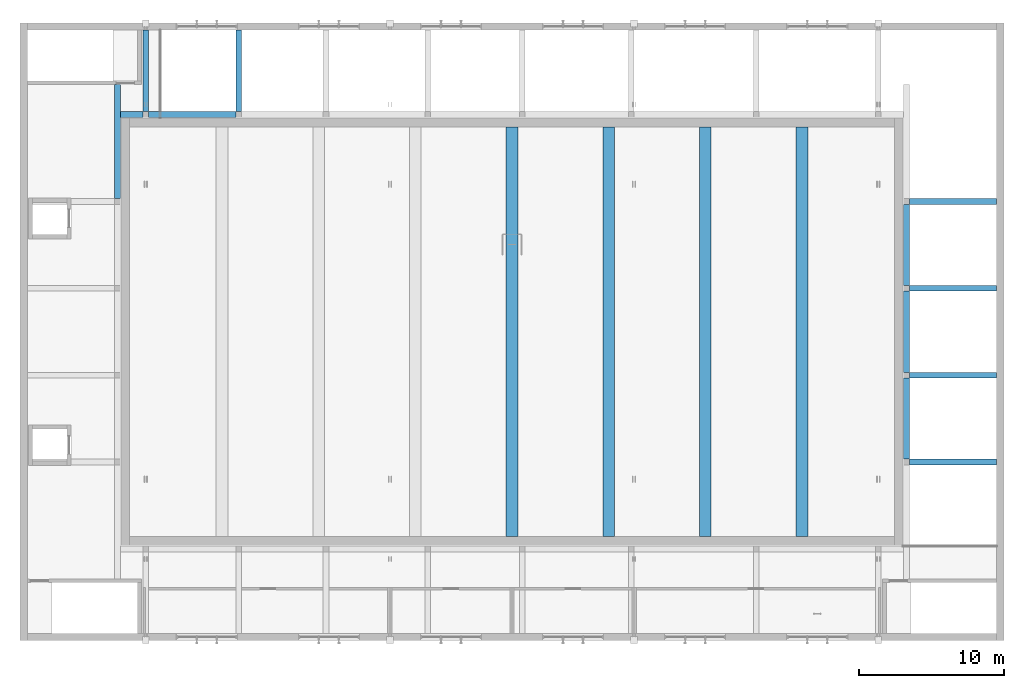
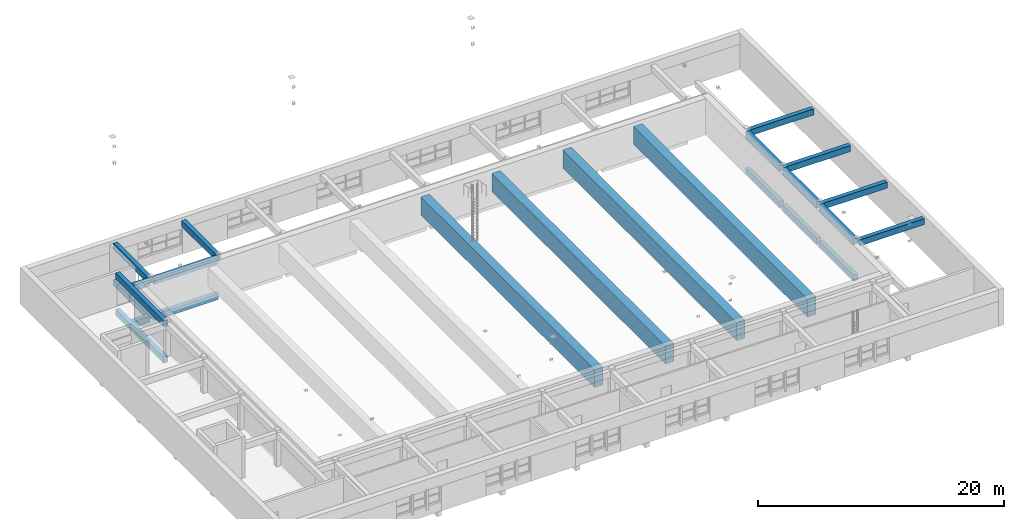
# One storey, part 6 of 28: 23 beams.
"""IFC4 building model written with IfcOpenShell, lengths in metres."""

from ifc_helpers import new_model, si_unit, direction, frame, origin, origin_2d, place, context, subcontext, project, spatial, rectangle, extrude, material, material_profile, profile_set, type_object, element, save


model = new_model("IFC4")

# Units and contexts
model_context = context("Model", 3, precision=1e-05, world=origin(), true_north=direction((0.0, 1.0)))
body_context = subcontext(model_context, "Body", "Model", "MODEL_VIEW")
ifc_project = project(units=[si_unit("LENGTHUNIT", "METRE"), si_unit("AREAUNIT", "SQUARE_METRE"), si_unit("VOLUMEUNIT", "CUBIC_METRE"), si_unit("PLANEANGLEUNIT", "RADIAN"), si_unit("MASSUNIT", "GRAM", prefix="KILO")], contexts=[model_context])

# Site, building, storey
site_placement = place(None, origin())
site = spatial("IfcSite", under=ifc_project, at=site_placement, CompositionType="ELEMENT")
building_placement = place(site_placement, origin())
building = spatial("IfcBuilding", under=site, at=building_placement, Name="Ljudholm Concert House", CompositionType="ELEMENT")
storey_placement = place(building_placement, frame((0.0, 0.0, 19.199951171875)))
storey = spatial("IfcBuildingStorey", under=building, at=storey_placement, Name="L04", CompositionType="ELEMENT", Elevation=19.199951171875)

# Beams
ifc_material_1 = material(Name="Concrete 6,500 psi", Category="concrete")
ifc_material_profile_1 = material_profile(ifc_material_1, rectangle(XDim=0.39990234375, YDim=0.60009765625, at=origin_2d()), Name="RC BEAM 400x600")
ifc_profile_set_1 = profile_set([ifc_material_profile_1], Name="Concrete 6,500 psi")
beam_type_1 = type_object("IfcBeamType", Name="RC BEAM 400x600", PredefinedType="BEAM", material=ifc_profile_set_1)
beam_1_placement = place(storey_placement, frame((37.800048828125, 90.35009765625, -0.550048828125), z_axis=(1.0, 0.0, 0.0), x_axis=(0.0, 1.0, 0.0)))
element("IfcBeam", 1, at=beam_1_placement, inside=storey, type_object=beam_type_1, Name="Ring beam", PredefinedType="BEAM", context=body_context, shape_type="SweptSolid", body=[
    extrude(rectangle(XDim=0.39990234375, YDim=0.60009765625, at=origin_2d()), origin(), (0.0, 0.0, 1.0), 6.0),
])
beam_2_placement = place(storey_placement, frame((89.949951171875, 66.6298828125, -0.550048828125), z_axis=(0.0, 1.0, 0.0), x_axis=(-1.0, 0.0, 0.0)))
element("IfcBeam", 2, at=beam_2_placement, inside=storey, type_object=beam_type_1, Name="Ring beam", PredefinedType="BEAM", context=body_context, shape_type="SweptSolid", body=[
    extrude(rectangle(XDim=0.39990234375, YDim=0.60009765625, at=origin_2d()), origin(), (0.0, 0.0, 1.0), 5.580078125),
])
for number, where, z_axis, x_axis, name in (
    (3, (89.949951171875, 72.610107421875, -0.550048828125), (0.0, 1.0, 0.0), (-1.0, 0.0, 0.0), "Ring beam"),
    (4, (89.949951171875, 78.590087890625, -0.550048828125), (0.0, 1.0, 0.0), (-1.0, 0.0, 0.0), "Ring beam"),
):
    element("IfcBeam", number, at=place(storey_placement, frame(where, z_axis=z_axis, x_axis=x_axis)), inside=storey, type_object=beam_type_1, Name=name, PredefinedType="BEAM", context=body_context, shape_type="SweptSolid", body=[
        extrude(rectangle(XDim=0.39990234375, YDim=0.60009765625, at=origin_2d()), origin(), (0.0, 0.0, 1.0), 5.579833984375),
    ])
beam_3_placement = place(storey_placement, frame((37.60009765625, 90.550048828125, -0.550048828125), z_axis=(0.0, 1.0, 0.0), x_axis=(-1.0, 0.0, 0.0)))
element("IfcBeam", 5, at=beam_3_placement, inside=storey, type_object=beam_type_1, Name="Ring cross beam", PredefinedType="BEAM", context=body_context, shape_type="SweptSolid", body=[
    extrude(rectangle(XDim=0.39990234375, YDim=0.60009765625, at=origin_2d()), origin(), (0.0, 0.0, 1.0), 5.599853515625),
])
beam_4_placement = place(storey_placement, frame((35.85009765625, 90.35009765625, -0.550048828125), z_axis=(1.0, 0.0, 0.0), x_axis=(0.0, 1.0, 0.0)))
element("IfcBeam", 6, at=beam_4_placement, inside=storey, type_object=beam_type_1, Name="Ring beam", PredefinedType="BEAM", context=body_context, shape_type="SweptSolid", body=[
    extrude(rectangle(XDim=0.39990234375, YDim=0.60009765625, at=origin_2d()), origin(), (0.0, 0.0, 1.0), 1.5498046875),
])
beam_5_placement = place(storey_placement, frame((35.64990234375, 84.570068359375, -0.550048828125), z_axis=(0.0, 1.0, 0.0), x_axis=(-1.0, 0.0, 0.0)))
element("IfcBeam", 7, at=beam_5_placement, inside=storey, type_object=beam_type_1, Name="Ring beam", PredefinedType="BEAM", context=body_context, shape_type="SweptSolid", body=[
    extrude(rectangle(XDim=0.39990234375, YDim=0.60009765625, at=origin_2d()), origin(), (0.0, 0.0, 1.0), 7.829833984375),
])
beam_6_placement = place(storey_placement, frame((37.800048828125, 90.35009765625, 3.050048828125), z_axis=(1.0, 0.0, 0.0), x_axis=(0.0, 1.0, 0.0)))
element("IfcBeam", 8, at=beam_6_placement, inside=storey, type_object=beam_type_1, Name="Ring beam", PredefinedType="BEAM", context=body_context, shape_type="SweptSolid", body=[
    extrude(rectangle(XDim=0.39990234375, YDim=0.60009765625, at=origin_2d()), origin(), (0.0, 0.0, 1.0), 6.0),
])
beam_7_placement = place(storey_placement, frame((89.949951171875, 66.6298828125, 3.050048828125), z_axis=(0.0, 1.0, 0.0), x_axis=(-1.0, 0.0, 0.0)))
element("IfcBeam", 9, at=beam_7_placement, inside=storey, type_object=beam_type_1, Name="Ring beam", PredefinedType="BEAM", context=body_context, shape_type="SweptSolid", body=[
    extrude(rectangle(XDim=0.39990234375, YDim=0.60009765625, at=origin_2d()), origin(), (0.0, 0.0, 1.0), 5.580078125),
])
for number, where, z_axis, x_axis, name in (
    (10, (89.949951171875, 72.610107421875, 3.050048828125), (0.0, 1.0, 0.0), (-1.0, 0.0, 0.0), "Ring beam"),
    (11, (89.949951171875, 78.590087890625, 3.050048828125), (0.0, 1.0, 0.0), (-1.0, 0.0, 0.0), "Ring beam"),
):
    element("IfcBeam", number, at=place(storey_placement, frame(where, z_axis=z_axis, x_axis=x_axis)), inside=storey, type_object=beam_type_1, Name=name, PredefinedType="BEAM", context=body_context, shape_type="SweptSolid", body=[
        extrude(rectangle(XDim=0.39990234375, YDim=0.60009765625, at=origin_2d()), origin(), (0.0, 0.0, 1.0), 5.579833984375),
    ])
for number, where, z_axis, x_axis, name in (
    (12, (37.60009765625, 90.550048828125, 3.050048828125), (0.0, 1.0, 0.0), (-1.0, 0.0, 0.0), "Ring cross beam"),
    (13, (44.0, 90.550048828125, 3.050048828125), (0.0, 1.0, 0.0), (-1.0, 0.0, 0.0), "Ring cross beam"),
):
    element("IfcBeam", number, at=place(storey_placement, frame(where, z_axis=z_axis, x_axis=x_axis)), inside=storey, type_object=beam_type_1, Name=name, PredefinedType="BEAM", context=body_context, shape_type="SweptSolid", body=[
        extrude(rectangle(XDim=0.39990234375, YDim=0.60009765625, at=origin_2d()), origin(), (0.0, 0.0, 1.0), 5.599853515625),
    ])
for number, where, z_axis, x_axis, name in (
    (14, (90.14990234375, 66.429931640625, 3.050048828125), (1.0, 0.0, 0.0), (0.0, 1.0, 0.0), "Ring cross beam"),
    (15, (90.14990234375, 72.409912109375, 3.050048828125), (1.0, 0.0, 0.0), (0.0, 1.0, 0.0), "Ring cross beam"),
    (16, (90.14990234375, 78.389892578125, 3.050048828125), (1.0, 0.0, 0.0), (0.0, 1.0, 0.0), "Ring cross beam"),
    (17, (90.14990234375, 84.3701171875, 3.050048828125), (1.0, 0.0, 0.0), (0.0, 1.0, 0.0), "Ring cross beam"),
):
    element("IfcBeam", number, at=place(storey_placement, frame(where, z_axis=z_axis, x_axis=x_axis)), inside=storey, type_object=beam_type_1, Name=name, PredefinedType="BEAM", context=body_context, shape_type="SweptSolid", body=[
        extrude(rectangle(XDim=0.39990234375, YDim=0.60009765625, at=origin_2d()), origin(), (0.0, 0.0, 1.0), 6.0),
    ])
beam_8_placement = place(storey_placement, frame((35.85009765625, 90.35009765625, 3.050048828125), z_axis=(1.0, 0.0, 0.0), x_axis=(0.0, 1.0, 0.0)))
element("IfcBeam", 18, at=beam_8_placement, inside=storey, type_object=beam_type_1, Name="Ring beam", PredefinedType="BEAM", context=body_context, shape_type="SweptSolid", body=[
    extrude(rectangle(XDim=0.39990234375, YDim=0.60009765625, at=origin_2d()), origin(), (0.0, 0.0, 1.0), 1.5498046875),
])
beam_9_placement = place(storey_placement, frame((35.64990234375, 84.570068359375, 3.050048828125), z_axis=(0.0, 1.0, 0.0), x_axis=(-1.0, 0.0, 0.0)))
element("IfcBeam", 19, at=beam_9_placement, inside=storey, type_object=beam_type_1, Name="Ring beam", PredefinedType="BEAM", context=body_context, shape_type="SweptSolid", body=[
    extrude(rectangle(XDim=0.39990234375, YDim=0.60009765625, at=origin_2d()), origin(), (0.0, 0.0, 1.0), 7.829833984375),
])
ifc_material_2 = material(Name="Concrete 6,500 psi", Category="concrete")
ifc_material_profile_2 = material_profile(ifc_material_2, rectangle(XDim=0.800048828125, YDim=1.800048828125, at=origin_2d()), Name="RC BEAM 800x1800 BEAM")
ifc_profile_set_2 = profile_set([ifc_material_profile_2], Name="Concrete 6,500 psi")
beam_type_2 = type_object("IfcBeamType", Name="RC BEAM 800x1800 BEAM", PredefinedType="BEAM", material=ifc_profile_set_2)
for number, where, z_axis, x_axis, name in (
    (20, (62.800048828125, 61.300048828125, 2.300048828125), (0.0, 1.0, 0.0), (-1.0, 0.0, 0.0), "Post-tensioned roof girder"),
    (21, (69.449951171875, 61.300048828125, 2.300048828125), (0.0, 1.0, 0.0), (-1.0, 0.0, 0.0), "Post-tensioned roof girder"),
    (22, (76.10009765625, 61.300048828125, 2.300048828125), (0.0, 1.0, 0.0), (-1.0, 0.0, 0.0), "Post-tensioned roof girder"),
    (23, (82.75, 61.300048828125, 2.300048828125), (0.0, 1.0, 0.0), (-1.0, 0.0, 0.0), "Post-tensioned roof girder"),
):
    element("IfcBeam", number, at=place(storey_placement, frame(where, z_axis=z_axis, x_axis=x_axis)), inside=storey, type_object=beam_type_2, Name=name, PredefinedType="BEAM", context=body_context, shape_type="SweptSolid", body=[
        extrude(rectangle(XDim=0.800048828125, YDim=1.800048828125, at=origin_2d()), origin(), (0.0, 0.0, 1.0), 28.199951171875),
    ])

save(model, "model.ifc")
